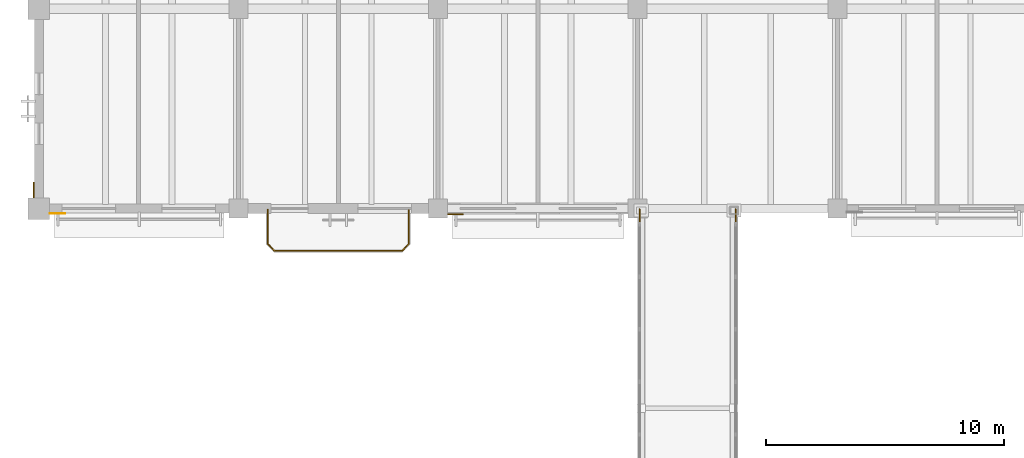
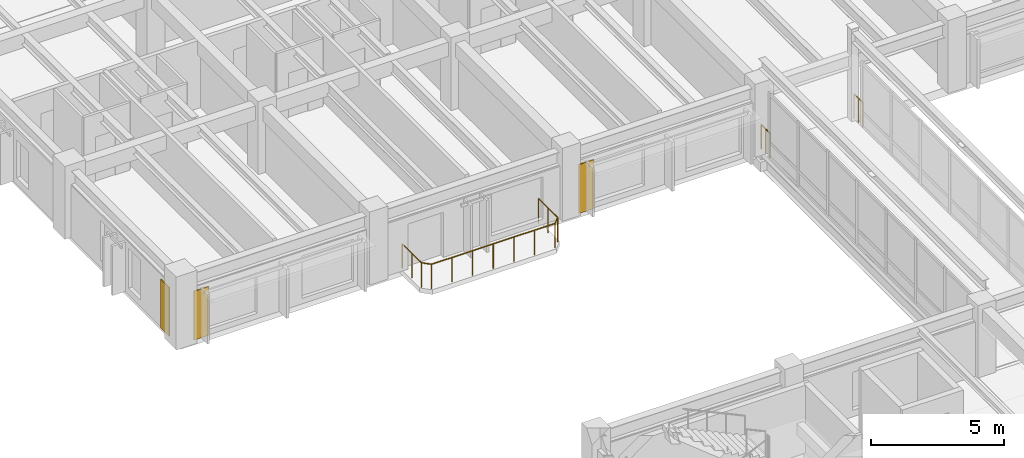
# One storey, part 111 of 123: 3 coverings, 3 railings.
"""IFC4 building model written with IfcOpenShell, lengths in metres."""

from ifc_helpers import new_model, si_unit, direction, frame, origin, origin_2d, place, context, subcontext, project, spatial, polyline, circle, outline, extrude, material, layer, layer_set, type_object, element, save


model = new_model("IFC4")

# Units and contexts
model_context = context("Model", 3, precision=1e-05, world=origin(), true_north=direction((0.0, 1.0)))
body_context = subcontext(model_context, "Body", "Model", "MODEL_VIEW")
ifc_project = project(units=[si_unit("LENGTHUNIT", "METRE"), si_unit("AREAUNIT", "SQUARE_METRE"), si_unit("VOLUMEUNIT", "CUBIC_METRE"), si_unit("PLANEANGLEUNIT", "RADIAN"), si_unit("MASSUNIT", "GRAM", prefix="KILO")], contexts=[model_context])

# Site, building, storey
site_placement = place(None, origin())
site = spatial("IfcSite", under=ifc_project, at=site_placement, CompositionType="ELEMENT")
building_placement = place(site_placement, origin())
building = spatial("IfcBuilding", under=site, at=building_placement, Name="Cumbredor Promenade Congress Hotel", CompositionType="ELEMENT")
storey_placement = place(building_placement, frame((0.0, 0.0, 11.760009765625)))
storey = spatial("IfcBuildingStorey", under=building, at=storey_placement, Name="L03", CompositionType="ELEMENT", Elevation=11.760009765625)

# Coverings
ifc_material_1 = material(Name="Precast concrete C40/50", Category="concrete")
ifc_layer_1 = layer(ifc_material_1, 0.044921875, Name="Precast concrete C40/50", Category="concrete")
ifc_layer_set_1 = layer_set([ifc_layer_1], Name="Precast concrete C40/50")
covering_type_1 = type_object("IfcCoveringType", Name="Board-Formed Architectural Cladding Panel 45mm", PredefinedType="CLADDING", material=ifc_layer_set_1)
covering_1_placement = place(storey_placement, origin())
element("IfcCovering", 1, at=covering_1_placement, inside=storey, type_object=covering_type_1, Name="L03 Facade Stone Cladding Pier 152", PredefinedType="CLADDING", context=body_context, shape_type="SweptSolid", body=[
    extrude(outline(polyline([(17.200927734375, 83.77490234375), (17.85107421875, 83.77490234375), (17.85107421875, 83.72998046875), (17.200927734375, 83.72998046875), (17.200927734375, 83.77490234375)])), origin(), (0.0, 0.0, 1.0), 2.25),
])
covering_2_placement = place(storey_placement, origin())
element("IfcCovering", 2, at=covering_2_placement, inside=storey, type_object=covering_type_1, Name="L03 Facade Stone Cladding Pier 160", PredefinedType="CLADDING", context=body_context, shape_type="SweptSolid", body=[
    extrude(outline(polyline([(-0.18994140625, 84.450927734375), (-0.18994140625, 85.10107421875), (-0.235107421875, 85.10107421875), (-0.235107421875, 84.450927734375), (-0.18994140625, 84.450927734375)])), origin(), (0.0, 0.0, 1.0), 2.25),
])

# Railings
ifc_material_2 = material(Name="Brushed stainless steel", Category="steel")
railing_type = type_object("IfcRailingType", Name="Sky Garden Glass-and-Steel Balustrade BAL-1150", PredefinedType="BALUSTRADE", material=ifc_material_2)
for number, where, name in (
    (3, (25.280029296875, 83.300048828125, 0.0), "L03 West Congress-to-Hotel Glazed Bridge End Guardrail NW"),
    (4, (29.320068359375, 83.300048828125, 0.0), "L03 West Congress-to-Hotel Glazed Bridge End Guardrail NE"),
):
    element("IfcRailing", number, at=place(storey_placement, frame(where)), inside=storey, type_object=railing_type, Name=name, PredefinedType="BALUSTRADE", context=body_context, shape_type="SweptSolid", body=[
        extrude(circle(Radius=0.02392578125, at=origin_2d()), frame((0.0, 0.0, 1.1259765625), z_axis=(0.0, 1.0, 0.0), x_axis=(-1.0, 0.0, 0.0)), (0.0, 0.0, 1.0), 0.669921875),
        extrude(circle(Radius=0.02099609375, at=origin_2d()), origin(), (0.0, 0.0, 1.0), 1.101806640625),
        extrude(circle(Radius=0.02099609375, at=origin_2d()), frame((0.0, 0.3349609375, 0.0)), (0.0, 0.0, 1.0), 1.101806640625),
        extrude(circle(Radius=0.02099609375, at=origin_2d()), frame((0.0, 0.669921875, 0.0)), (0.0, 0.0, 1.0), 1.101806640625),
    ])
railing_placement = place(storey_placement, frame((9.6298828125, 83.949951171875, 0.0)))
element("IfcRailing", 5, at=railing_placement, inside=storey, type_object=railing_type, Name="L03 Veranda Balcony Balustrade 016", PredefinedType="BALUSTRADE", context=body_context, shape_type="SweptSolid", body=[
    extrude(circle(Radius=0.02392578125, at=origin_2d()), frame((0.0, 0.0, 1.1259765625), z_axis=(0.0, -1.0, 0.0), x_axis=(1.0, 0.0, 0.0)), (0.0, 0.0, 1.0), 1.43994140625),
    extrude(circle(Radius=0.02392578125, at=origin_2d()), frame((0.0, -1.43994140625, 1.1259765625), z_axis=(0.707106781187, -0.707106781187, 0.0), x_axis=(0.707106781187, 0.707106781187, 0.0)), (0.0, 0.0, 1.0), 0.39599609375),
    extrude(circle(Radius=0.02392578125, at=origin_2d()), frame((0.280029296875, -1.719970703125, 1.1259765625), z_axis=(1.0, 0.0, 0.0), x_axis=(0.0, 1.0, 0.0)), (0.0, 0.0, 1.0), 5.380126953125),
    extrude(circle(Radius=0.02392578125, at=origin_2d()), frame((5.66015625, -1.719970703125, 1.1259765625), z_axis=(0.707106781187, 0.707106781187, 0.0), x_axis=(-0.707106781187, 0.707106781187, 0.0)), (0.0, 0.0, 1.0), 0.39599609375),
    extrude(circle(Radius=0.02392578125, at=origin_2d()), frame((5.940185546875, -1.43994140625, 1.1259765625), z_axis=(0.0, 1.0, 0.0), x_axis=(-1.0, 0.0, 0.0)), (0.0, 0.0, 1.0), 1.43994140625),
    extrude(circle(Radius=0.02099609375, at=origin_2d()), origin(), (0.0, 0.0, 1.0), 1.101806640625),
    extrude(circle(Radius=0.02099609375, at=origin_2d()), frame((0.0, -0.719970703125, 0.0)), (0.0, 0.0, 1.0), 1.101806640625),
    extrude(circle(Radius=0.02099609375, at=origin_2d()), frame((0.0, -1.43994140625, 0.0)), (0.0, 0.0, 1.0), 1.101806640625),
    extrude(circle(Radius=0.02099609375, at=origin_2d()), frame((0.280029296875, -1.719970703125, 0.0)), (0.0, 0.0, 1.0), 1.101806640625),
    extrude(circle(Radius=0.02099609375, at=origin_2d()), frame((1.1767578125, -1.719970703125, 0.0)), (0.0, 0.0, 1.0), 1.101806640625),
    extrude(circle(Radius=0.02099609375, at=origin_2d()), frame((2.073486328125, -1.719970703125, 0.0)), (0.0, 0.0, 1.0), 1.101806640625),
    extrude(circle(Radius=0.02099609375, at=origin_2d()), frame((2.97021484375, -1.719970703125, 0.0)), (0.0, 0.0, 1.0), 1.101806640625),
    extrude(circle(Radius=0.02099609375, at=origin_2d()), frame((3.86669921875, -1.719970703125, 0.0)), (0.0, 0.0, 1.0), 1.101806640625),
    extrude(circle(Radius=0.02099609375, at=origin_2d()), frame((4.763427734375, -1.719970703125, 0.0)), (0.0, 0.0, 1.0), 1.101806640625),
    extrude(circle(Radius=0.02099609375, at=origin_2d()), frame((5.66015625, -1.719970703125, 0.0)), (0.0, 0.0, 1.0), 1.101806640625),
    extrude(circle(Radius=0.02099609375, at=origin_2d()), frame((5.940185546875, -1.43994140625, 0.0)), (0.0, 0.0, 1.0), 1.101806640625),
    extrude(circle(Radius=0.02099609375, at=origin_2d()), frame((5.940185546875, -0.719970703125, 0.0)), (0.0, 0.0, 1.0), 1.101806640625),
    extrude(circle(Radius=0.02099609375, at=origin_2d()), frame((5.940185546875, 0.0, 0.0)), (0.0, 0.0, 1.0), 1.101806640625),
])

# Covering
ifc_material_3 = material(Name="Volcanic andesite ashlar cladding", Category="masonry")
ifc_layer_2 = layer(ifc_material_3, 0.034912109375, Name="Volcanic andesite ashlar cladding", Category="masonry")
ifc_layer_set_2 = layer_set([ifc_layer_2], Name="Volcanic andesite ashlar cladding")
covering_type_2 = type_object("IfcCoveringType", Name="Volcanic Andesite Ashlar Rainscreen Cladding 35mm", PredefinedType="CLADDING", material=ifc_layer_set_2)
covering_3_placement = place(storey_placement, origin())
element("IfcCovering", 6, at=covering_3_placement, inside=storey, type_object=covering_type_2, Name="L03 Facade Stone Cladding Pier 151", PredefinedType="CLADDING", context=body_context, shape_type="SweptSolid", body=[
    extrude(outline(polyline([(0.450927734375, 83.81005859375), (1.10107421875, 83.81005859375), (1.10107421875, 83.77490234375), (0.450927734375, 83.77490234375), (0.450927734375, 83.81005859375)])), origin(), (0.0, 0.0, 1.0), 2.25),
])

save(model, "model.ifc")
